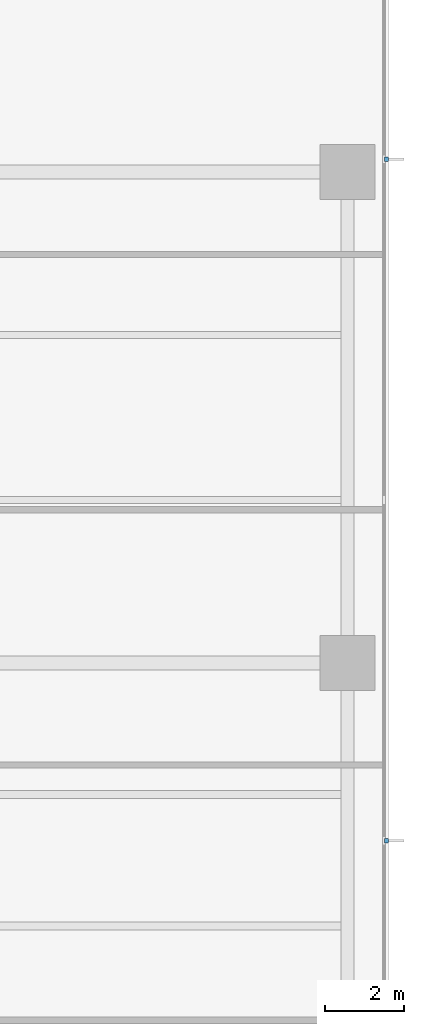
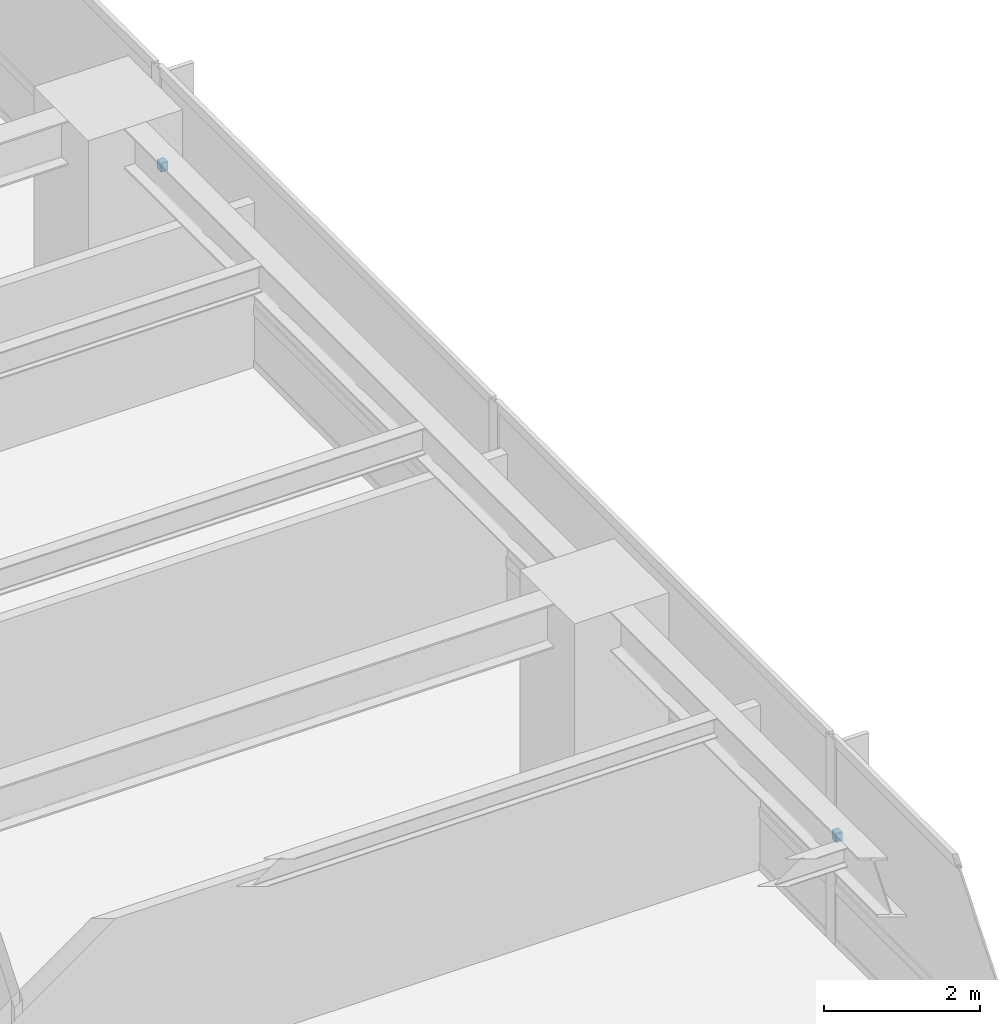
# One storey, part 13 of 16: 2 discrete accessories.
"""IFC4 building model written with IfcOpenShell, lengths in metres."""

from ifc_helpers import new_model, si_unit, direction, frame, origin, place, context, subcontext, project, spatial, polyline, outline, extrude, material, type_object, element, save


model = new_model("IFC4")

# Units and contexts
model_context = context("Model", 3, precision=1e-05, world=origin(), true_north=direction((0.0, 1.0)))
body_context = subcontext(model_context, "Body", "Model", "MODEL_VIEW")
ifc_project = project(units=[si_unit("LENGTHUNIT", "METRE"), si_unit("AREAUNIT", "SQUARE_METRE"), si_unit("VOLUMEUNIT", "CUBIC_METRE"), si_unit("PLANEANGLEUNIT", "RADIAN"), si_unit("MASSUNIT", "GRAM", prefix="KILO")], contexts=[model_context])

# Site, building, storey
site_placement = place(None, origin())
site = spatial("IfcSite", under=ifc_project, at=site_placement, CompositionType="ELEMENT")
building_placement = place(site_placement, origin())
building = spatial("IfcBuilding", under=site, at=building_placement, Name="Qalmaran Belvedere Hotel", CompositionType="ELEMENT")
storey_placement = place(building_placement, frame((0.0, 0.0, 50.89990234375)))
storey = spatial("IfcBuildingStorey", under=building, at=storey_placement, Name="L12", CompositionType="ELEMENT", Elevation=50.89990234375)

# Discrete accessories
ifc_material = material(Name="Stainless Steel 1.4401", Category="steel")
discrete_accessory_type = type_object("IfcDiscreteAccessoryType", Name="BRK-FIN-SS316", PredefinedType="BRACKET", material=ifc_material)
discrete_accessory_1_placement = place(storey_placement, frame((0.0, 0.0, 1.56005859375)))
element("IfcDiscreteAccessory", 1, at=discrete_accessory_1_placement, inside=storey, type_object=discrete_accessory_type, Name="L12 Fin Bracket 1", PredefinedType="BRACKET", context=body_context, shape_type="SweptSolid", body=[
    extrude(outline(polyline([(61.695068359375, 15.919921875), (61.79248046875, 15.919921875), (61.79248046875, 16.030029296875), (61.695068359375, 16.030029296875), (61.695068359375, 15.919921875)])), origin(), (0.0, 0.0, 1.0), 0.14013671875),
])
discrete_accessory_2_placement = place(storey_placement, frame((0.0, 0.0, 1.56005859375)))
element("IfcDiscreteAccessory", 2, at=discrete_accessory_2_placement, inside=storey, type_object=discrete_accessory_type, Name="L12 Fin Bracket 3", PredefinedType="BRACKET", context=body_context, shape_type="SweptSolid", body=[
    extrude(outline(polyline([(61.695068359375, 33.27001953125), (61.79248046875, 33.27001953125), (61.79248046875, 33.3798828125), (61.695068359375, 33.3798828125), (61.695068359375, 33.27001953125)])), origin(), (0.0, 0.0, 1.0), 0.14013671875),
])

save(model, "model.ifc")
